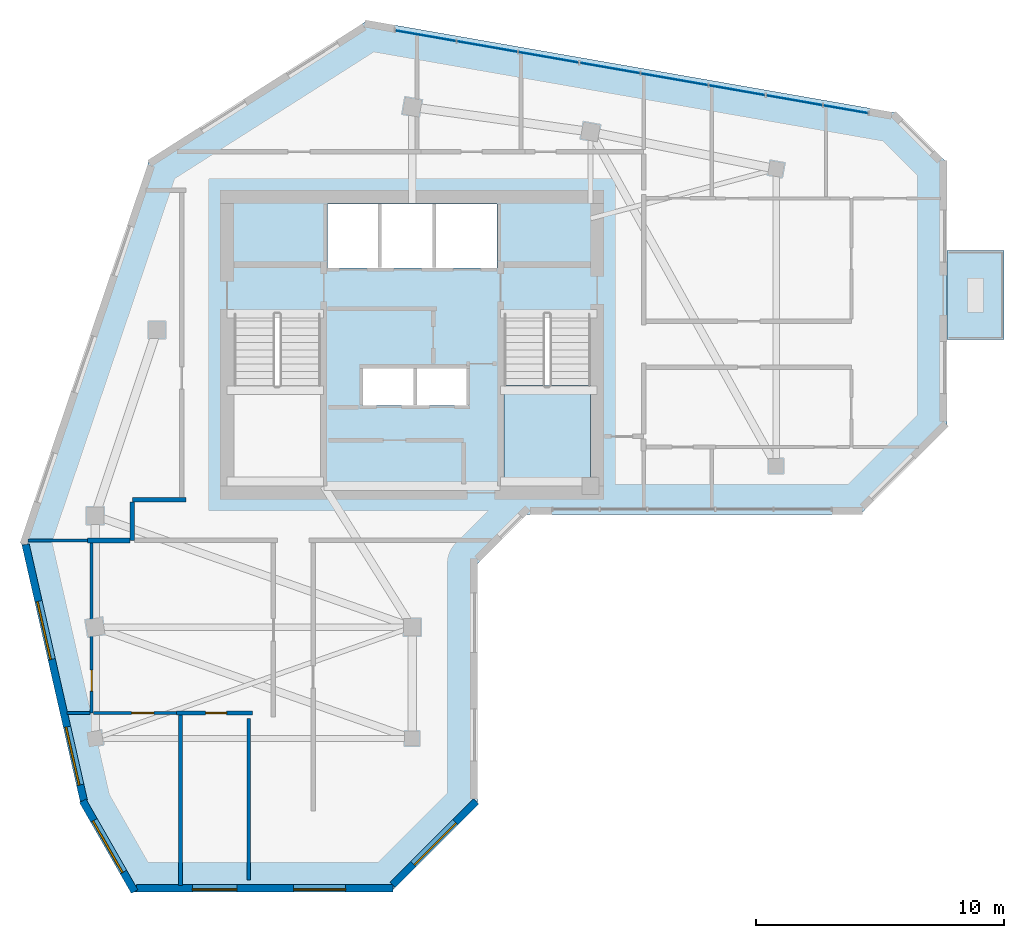
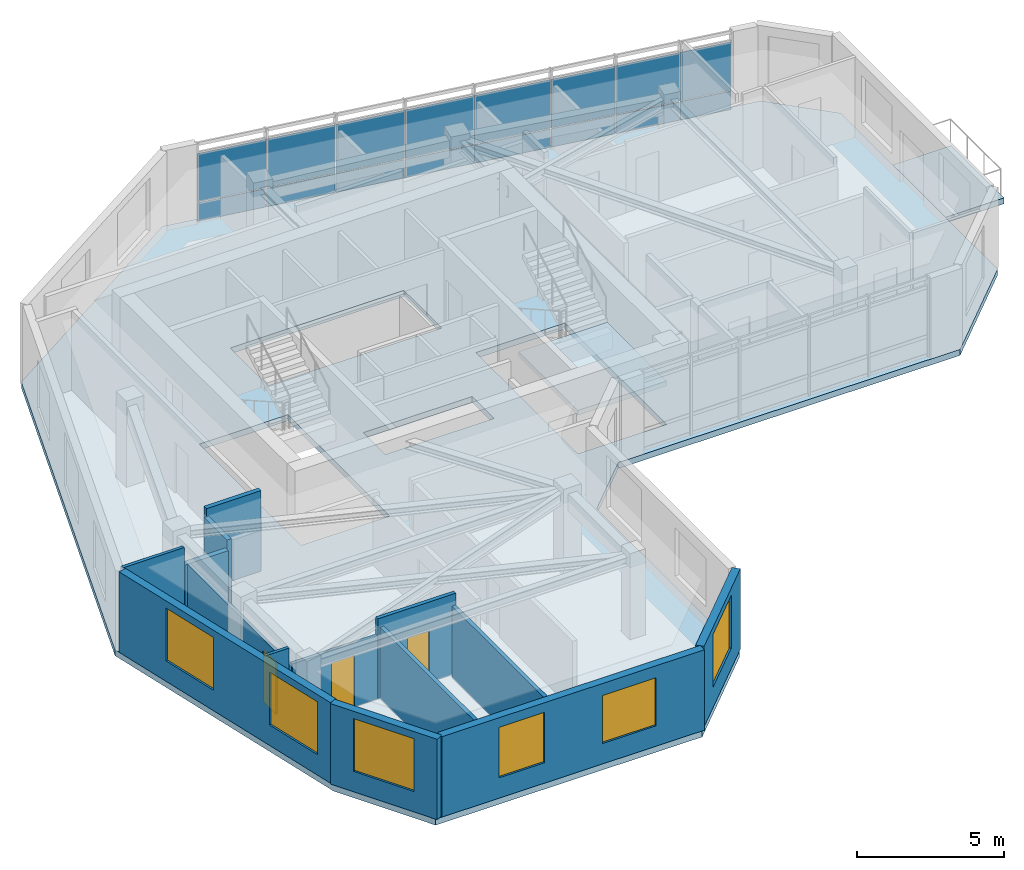
# One storey, part 3 of 9: 16 plates, 14 walls, 6 windows, 3 doors, 3 slabs, 9 openings, 2 elements without a shape of their own.
"""IFC4 building model written with IfcOpenShell, lengths in metres."""

from ifc_helpers import new_model, si_unit, direction, frame, frame_2d, origin, place, context, subcontext, project, spatial, polyline, rectangle, outline, extrude, source, transform, mapped, material, layer, layer_set, type_object, element, fill, aggregate, save


model = new_model("IFC4")

# Units and contexts
model_context = context("Model", 3, precision=1e-05, world=origin(), true_north=direction((0.0, 1.0)))
body_context = subcontext(model_context, "Body", "Model", "MODEL_VIEW")
ifc_project = project(units=[si_unit("LENGTHUNIT", "METRE"), si_unit("AREAUNIT", "SQUARE_METRE"), si_unit("VOLUMEUNIT", "CUBIC_METRE"), si_unit("PLANEANGLEUNIT", "RADIAN"), si_unit("MASSUNIT", "GRAM", prefix="KILO")], contexts=[model_context])

# Site, building, storey
site_placement = place(None, origin())
site = spatial("IfcSite", under=ifc_project, at=site_placement, CompositionType="ELEMENT")
building_placement = place(site_placement, origin())
building = spatial("IfcBuilding", under=site, at=building_placement, Name="Calvemar Wedge Station Tower", CompositionType="ELEMENT")
storey_placement = place(building_placement, frame((0.0, 0.0, 263.699951171875)))
storey = spatial("IfcBuildingStorey", under=building, at=storey_placement, Name="L67", CompositionType="ELEMENT", Elevation=263.699951171875)

# Curtain wall, plates
ifc_material_1 = material(Name="Anodised aluminium 6063-T6", Category="aluminium")
curtain_wall_type = type_object("IfcCurtainWallType", Name="CW4", PredefinedType="NOTDEFINED", material=ifc_material_1)
curtain_wall_placement = place(storey_placement, origin())
curtain_wall = element("IfcCurtainWall", 1, at=curtain_wall_placement, inside=storey, type_object=curtain_wall_type, Name="Storey L67 CW4 Recessed Unitised Curtain Wall 10", PredefinedType="NOTDEFINED")
ifc_material_2 = material(Name="Low-E laminated insulated glass", Category="glass")
ifc_layer_1 = layer(ifc_material_2, 0.028076171875)
ifc_layer_set_1 = layer_set([ifc_layer_1], Name="Low-E laminated insulated glass")
plate_type_1 = type_object("IfcPlateType", Name="CW4-GLZ", PredefinedType="CURTAIN_PANEL", material=ifc_layer_set_1)
plate_1_placement = place(storey_placement, frame((42.2158203125, 49.25, 0.8701171875), z_axis=(0.0, 0.0, 1.0), x_axis=(-0.985032723661, 0.172367436939, 0.0)))
plate_1 = element("IfcPlate", 2, at=plate_1_placement, type_object=plate_type_1, Name="CW4 vision glass panel 1", PredefinedType="CURTAIN_PANEL", context=body_context, shape_type="SweptSolid", body=[
    extrude(rectangle(XDim=1.837158203125, YDim=0.028076171875, at=frame_2d((0.91845703125, 0.0))), origin(), (0.0, 0.0, 1.0), 2.010009765625),
])
plate_2_placement = place(storey_placement, frame((40.370849609375, 49.57275390625, 0.8701171875), z_axis=(0.0, 0.0, 1.0), x_axis=(-0.985034958197, 0.172354666692, 0.0)))
plate_2 = element("IfcPlate", 3, at=plate_2_placement, type_object=plate_type_1, Name="CW4 vision glass panel 2", PredefinedType="CURTAIN_PANEL", context=body_context, shape_type="SweptSolid", body=[
    extrude(rectangle(XDim=2.307373046875, YDim=0.028076171875, at=frame_2d((1.15380859375, 0.0))), origin(), (0.0, 0.0, 1.0), 2.010009765625),
])
plate_3_placement = place(storey_placement, frame((38.0625, 49.976806640625, 0.8701171875), z_axis=(0.0, 0.0, 1.0), x_axis=(-0.985056054932, 0.17223405192, 0.0)))
plate_3 = element("IfcPlate", 4, at=plate_3_placement, type_object=plate_type_1, Name="CW4 vision glass panel 3", PredefinedType="CURTAIN_PANEL", context=body_context, shape_type="SweptSolid", body=[
    extrude(rectangle(XDim=2.3076171875, YDim=0.028076171875, at=frame_2d((1.15380859375, 0.0))), origin(), (0.0, 0.0, 1.0), 2.010009765625),
])
plate_4_placement = place(storey_placement, frame((35.75390625, 50.380615234375, 0.8701171875), z_axis=(0.0, 0.0, 1.0), x_axis=(-0.985042874859, 0.172309415559, 0.0)))
plate_4 = element("IfcPlate", 5, at=plate_4_placement, type_object=plate_type_1, Name="CW4 vision glass panel 4", PredefinedType="CURTAIN_PANEL", context=body_context, shape_type="SweptSolid", body=[
    extrude(rectangle(XDim=2.755859375, YDim=0.028076171875, at=frame_2d((1.3779296875, 0.0))), origin(), (0.0, 0.0, 1.0), 2.010009765625),
])
plate_5_placement = place(storey_placement, frame((33.00390625, 50.861572265625, 0.8701171875), z_axis=(0.0, 0.0, 1.0), x_axis=(-0.985043436117, 0.172306206978, 0.0)))
plate_5 = element("IfcPlate", 6, at=plate_5_placement, type_object=plate_type_1, Name="CW4 vision glass panel 5", PredefinedType="CURTAIN_PANEL", context=body_context, shape_type="SweptSolid", body=[
    extrude(rectangle(XDim=2.476806640625, YDim=0.028076171875, at=frame_2d((1.23828125, 0.0))), origin(), (0.0, 0.0, 1.0), 2.010009765625),
])
plate_6_placement = place(storey_placement, frame((30.52880859375, 51.294677734375, 0.8701171875), z_axis=(0.0, 0.0, 1.0), x_axis=(-0.985040509104, 0.172322939343, 0.0)))
plate_6 = element("IfcPlate", 7, at=plate_6_placement, type_object=plate_type_1, Name="CW4 vision glass panel 6", PredefinedType="CURTAIN_PANEL", context=body_context, shape_type="SweptSolid", body=[
    extrude(rectangle(XDim=2.4765625, YDim=0.028076171875, at=frame_2d((1.23828125, 0.0))), origin(), (0.0, 0.0, 1.0), 2.010009765625),
])
plate_7_placement = place(storey_placement, frame((28.053955078125, 51.7275390625, 0.8701171875), z_axis=(0.0, 0.0, 1.0), x_axis=(-0.985028799202, 0.172389862645, 0.0)))
plate_7 = element("IfcPlate", 8, at=plate_7_placement, type_object=plate_type_1, Name="CW4 vision glass panel 7", PredefinedType="CURTAIN_PANEL", context=body_context, shape_type="SweptSolid", body=[
    extrude(rectangle(XDim=2.4853515625, YDim=0.028076171875, at=frame_2d((1.24267578125, 0.0))), origin(), (0.0, 0.0, 1.0), 2.010009765625),
])
plate_8_placement = place(storey_placement, frame((25.5703125, 52.162109375, 0.8701171875), z_axis=(0.0, 0.0, 1.0), x_axis=(-0.985039641183, 0.172327900522, 0.0)))
plate_8 = element("IfcPlate", 9, at=plate_8_placement, type_object=plate_type_1, Name="CW4 vision glass panel 8", PredefinedType="CURTAIN_PANEL", context=body_context, shape_type="SweptSolid", body=[
    extrude(rectangle(XDim=2.48486328125, YDim=0.028076171875, at=frame_2d((1.242431640625, 0.0))), origin(), (0.0, 0.0, 1.0), 2.010009765625),
])
ifc_material_3 = material(Name="Oxidized bronze aluminium spandrel panel 5005-H24", Category="aluminium")
ifc_layer_2 = layer(ifc_material_3, 0.0400390625)
ifc_layer_set_2 = layer_set([ifc_layer_2], Name="Oxidized bronze aluminium spandrel panel 5005-H24")
plate_type_2 = type_object("IfcPlateType", Name="CW4-SPD", PredefinedType="SHEET", material=ifc_layer_set_2)
plate_9_placement = place(storey_placement, frame((42.2158203125, 49.25, 0.080078125), z_axis=(0.0, 0.0, 1.0), x_axis=(-0.985032723661, 0.172367436939, 0.0)))
plate_9 = element("IfcPlate", 10, at=plate_9_placement, type_object=plate_type_2, Name="CW4 bronze spandrel panel 1", PredefinedType="SHEET", context=body_context, shape_type="SweptSolid", body=[
    extrude(rectangle(XDim=1.837158203125, YDim=0.0400390625, at=frame_2d((0.91845703125, 0.0))), origin(), (0.0, 0.0, 1.0), 0.75),
])
plate_10_placement = place(storey_placement, frame((40.370849609375, 49.57275390625, 0.080078125), z_axis=(0.0, 0.0, 1.0), x_axis=(-0.985034958197, 0.172354666692, 0.0)))
plate_10 = element("IfcPlate", 11, at=plate_10_placement, type_object=plate_type_2, Name="CW4 bronze spandrel panel 2", PredefinedType="SHEET", context=body_context, shape_type="SweptSolid", body=[
    extrude(rectangle(XDim=2.307373046875, YDim=0.0400390625, at=frame_2d((1.15380859375, 0.0))), origin(), (0.0, 0.0, 1.0), 0.75),
])
plate_11_placement = place(storey_placement, frame((38.0625, 49.976806640625, 0.080078125), z_axis=(0.0, 0.0, 1.0), x_axis=(-0.985056054932, 0.17223405192, 0.0)))
plate_11 = element("IfcPlate", 12, at=plate_11_placement, type_object=plate_type_2, Name="CW4 bronze spandrel panel 3", PredefinedType="SHEET", context=body_context, shape_type="SweptSolid", body=[
    extrude(rectangle(XDim=2.3076171875, YDim=0.0400390625, at=frame_2d((1.15380859375, 0.0))), origin(), (0.0, 0.0, 1.0), 0.75),
])
plate_12_placement = place(storey_placement, frame((35.75390625, 50.380615234375, 0.080078125), z_axis=(0.0, 0.0, 1.0), x_axis=(-0.985042874859, 0.172309415559, 0.0)))
plate_12 = element("IfcPlate", 13, at=plate_12_placement, type_object=plate_type_2, Name="CW4 bronze spandrel panel 4", PredefinedType="SHEET", context=body_context, shape_type="SweptSolid", body=[
    extrude(rectangle(XDim=2.755859375, YDim=0.0400390625, at=frame_2d((1.3779296875, 0.0))), origin(), (0.0, 0.0, 1.0), 0.75),
])
plate_13_placement = place(storey_placement, frame((33.00390625, 50.861572265625, 0.080078125), z_axis=(0.0, 0.0, 1.0), x_axis=(-0.985043436117, 0.172306206978, 0.0)))
plate_13 = element("IfcPlate", 14, at=plate_13_placement, type_object=plate_type_2, Name="CW4 bronze spandrel panel 5", PredefinedType="SHEET", context=body_context, shape_type="SweptSolid", body=[
    extrude(rectangle(XDim=2.476806640625, YDim=0.0400390625, at=frame_2d((1.23828125, 0.0))), origin(), (0.0, 0.0, 1.0), 0.75),
])
plate_14_placement = place(storey_placement, frame((30.52880859375, 51.294677734375, 0.080078125), z_axis=(0.0, 0.0, 1.0), x_axis=(-0.985040509104, 0.172322939343, 0.0)))
plate_14 = element("IfcPlate", 15, at=plate_14_placement, type_object=plate_type_2, Name="CW4 bronze spandrel panel 6", PredefinedType="SHEET", context=body_context, shape_type="SweptSolid", body=[
    extrude(rectangle(XDim=2.4765625, YDim=0.0400390625, at=frame_2d((1.23828125, 0.0))), origin(), (0.0, 0.0, 1.0), 0.75),
])
plate_15_placement = place(storey_placement, frame((28.053955078125, 51.7275390625, 0.080078125), z_axis=(0.0, 0.0, 1.0), x_axis=(-0.985028799202, 0.172389862645, 0.0)))
plate_15 = element("IfcPlate", 16, at=plate_15_placement, type_object=plate_type_2, Name="CW4 bronze spandrel panel 7", PredefinedType="SHEET", context=body_context, shape_type="SweptSolid", body=[
    extrude(rectangle(XDim=2.4853515625, YDim=0.0400390625, at=frame_2d((1.24267578125, 0.0))), origin(), (0.0, 0.0, 1.0), 0.75),
])
plate_16_placement = place(storey_placement, frame((25.5703125, 52.162109375, 0.080078125), z_axis=(0.0, 0.0, 1.0), x_axis=(-0.985039641183, 0.172327900522, 0.0)))
plate_16 = element("IfcPlate", 17, at=plate_16_placement, type_object=plate_type_2, Name="CW4 bronze spandrel panel 8", PredefinedType="SHEET", context=body_context, shape_type="SweptSolid", body=[
    extrude(rectangle(XDim=2.48486328125, YDim=0.0400390625, at=frame_2d((1.242431640625, 0.0))), origin(), (0.0, 0.0, 1.0), 0.75),
])
aggregate(curtain_wall, [plate_9, plate_1, plate_10, plate_2, plate_11, plate_3, plate_12, plate_4, plate_13, plate_5, plate_14, plate_6, plate_15, plate_7, plate_16, plate_8])

# Stair, slab
ifc_material_4 = material(Name="Concrete C45", Category="concrete")
stair_type = type_object("IfcStairType", Name="ST-TYPE-3600", PredefinedType="HALF_TURN_STAIR", material=ifc_material_4)
stair_placement = place(storey_placement, origin())
stair = element("IfcStair", 18, at=stair_placement, inside=storey, type_object=stair_type, Name="L67 Pressurized Core Exit Stair ST-C2", PredefinedType="HALF_TURN_STAIR")
ifc_layer_3 = layer(ifc_material_4, 0.199951171875)
ifc_layer_set_3 = layer_set([ifc_layer_3], Name="Concrete C45")
slab_type_1 = type_object("IfcSlabType", Name="SL-STAIR-LND-200", PredefinedType="LANDING", material=ifc_layer_set_3)
slab_1_placement = place(storey_placement, frame((0.0, 0.0, 1.60009765625)))
slab_1 = element("IfcSlab", 19, at=slab_1_placement, type_object=slab_type_1, Name="ST-C2 landing 1", PredefinedType="LANDING", context=body_context, shape_type="SweptSolid", body=[
    extrude(outline(polyline([(27.5, 38.25), (27.5, 34.199951171875), (31.0, 34.199951171875), (31.0, 38.25), (27.5, 38.25)])), origin(), (0.0, 0.0, 1.0), 0.199951171875),
])
aggregate(stair, [slab_1])

# Slabs
ifc_layer_4 = layer(ifc_material_4, 0.239990234375)
ifc_layer_set_4 = layer_set([ifc_layer_4], Name="Concrete C45")
slab_type_2 = type_object("IfcSlabType", Name="SL-TERR-240", PredefinedType="FLOOR", material=ifc_layer_set_4)
slab_2_placement = place(storey_placement, frame((0.0, 0.0, -0.239990234375)))
element("IfcSlab", 20, at=slab_2_placement, inside=storey, type_object=slab_type_2, Name="Storey L67 Planted Spiral Terrace Slab", PredefinedType="FLOOR", context=body_context, shape_type="SweptSolid", body=[
    extrude(outline(polyline([(45.39990234375, 40.10595703125), (47.699951171875, 40.10595703125), (47.699951171875, 43.7060546875), (45.39990234375, 43.7060546875), (45.39990234375, 40.10595703125)])), origin(), (0.0, 0.0, 1.0), 0.239990234375),
])
ifc_material_5 = material(Name="Concrete C50", Category="concrete")
ifc_layer_5 = layer(ifc_material_5, 0.25)
ifc_layer_set_5 = layer_set([ifc_layer_5], Name="Concrete C50")
slab_type_3 = type_object("IfcSlabType", Name="SL-TYP-250", PredefinedType="FLOOR", material=ifc_layer_set_5)
slab_3_placement = place(storey_placement, frame((0.0, 0.0, -0.25)))
element("IfcSlab", 21, at=slab_3_placement, inside=storey, type_object=slab_type_3, Name="Storey L67 Structural Floor Slab", PredefinedType="FLOOR", context=body_context, shape_type="SweptSolid", body=[
    extrude(outline(polyline([(8.0, 32.0), (10.431884765625, 21.300048828125), (12.431884765625, 17.800048828125), (22.931884765625, 17.800048828125), (26.431884765625, 21.300048828125), (26.431884765625, 31.055908203125), (28.431884765625, 33.055908203125), (41.89990234375, 33.055908203125), (45.39990234375, 36.555908203125), (45.39990234375, 47.256103515625), (43.39990234375, 49.256103515625), (22.0, 53.0), (13.199951171875, 47.39990234375), (8.0, 32.0)]), holes=[polyline([(20.10009765625, 34.199951171875), (20.10009765625, 41.14990234375), (16.60009765625, 41.14990234375), (16.60009765625, 34.199951171875), (20.10009765625, 34.199951171875)]), polyline([(31.0, 34.199951171875), (31.0, 41.14990234375), (27.5, 41.14990234375), (27.5, 34.199951171875), (31.0, 34.199951171875)]), polyline([(23.929931640625, 38.949951171875), (21.7900390625, 38.949951171875), (21.7900390625, 37.449951171875), (23.929931640625, 37.449951171875), (23.93994140625, 37.449951171875), (26.080078125, 37.449951171875), (26.080078125, 38.949951171875), (23.93994140625, 38.949951171875), (23.929931640625, 38.949951171875)]), polyline([(27.219970703125, 43.0), (27.219970703125, 45.580078125), (20.3798828125, 45.580078125), (20.3798828125, 43.0), (27.219970703125, 43.0)])]), origin(), (0.0, 0.0, 1.0), 0.25),
])

# Walls
ifc_material_6 = material(Name="Double-stud fire-rated corridor partition")
ifc_layer_6 = layer(ifc_material_6, 0.179931640625)
ifc_layer_set_6 = layer_set([ifc_layer_6], Name="Double-stud fire-rated corridor partition")
wall_type_1 = type_object("IfcWallType", Name="W-CORR-180", PredefinedType="PARTITIONING", material=ifc_layer_set_6)
wall_1_placement = place(storey_placement, frame((12.5, 33.64990234375, 0.0), z_axis=(0.0, 0.0, 1.0), x_axis=(1.0, 0.0, 0.0)))
element("IfcWall", 22, at=wall_1_placement, inside=storey, type_object=wall_type_1, Name="Storey L67 Interior Partition WL-L67-007", PredefinedType="PARTITIONING", context=body_context, shape_type="SweptSolid", body=[
    extrude(rectangle(XDim=2.159912109375, YDim=0.179931640625, at=frame_2d((1.080078125, 0.0))), origin(), (0.0, 0.0, 1.0), 3.35009765625),
])
wall_2_placement = place(storey_placement, frame((12.5, 32.0, 0.0), z_axis=(0.0, 0.0, 1.0), x_axis=(0.0, 1.0, 0.0)))
element("IfcWall", 23, at=wall_2_placement, inside=storey, type_object=wall_type_1, Name="Storey L67 Interior Partition WL-L67-008", PredefinedType="PARTITIONING", context=body_context, shape_type="SweptSolid", body=[
    extrude(rectangle(XDim=1.555908203125, YDim=0.179931640625, at=frame_2d((0.77783203125, 0.0))), origin(), (0.0, 0.0, 1.0), 3.01904296875),
])
ifc_material_7 = material(Name="Twin-stud fire-rated inter-tenancy wall")
ifc_layer_7 = layer(ifc_material_7, 0.199951171875)
ifc_layer_set_7 = layer_set([ifc_layer_7], Name="Twin-stud fire-rated inter-tenancy wall")
wall_type_2 = type_object("IfcWallType", Name="W-DEMISE-200", PredefinedType="PARTITIONING", material=ifc_layer_set_7)
wall_3_placement = place(storey_placement, frame((12.406005859375, 32.0, 0.0), z_axis=(0.0, 0.0, 1.0), x_axis=(-1.0, 0.0, 0.0)))
element("IfcWall", 24, at=wall_3_placement, inside=storey, type_object=wall_type_2, Name="Storey L67 Interior Partition WL-L67-021", PredefinedType="PARTITIONING", context=body_context, shape_type="SweptSolid", body=[
    extrude(rectangle(XDim=1.7080078125, YDim=0.199951171875, at=frame_2d((0.85400390625, 0.0))), origin(), (0.0, 0.0, 1.0), 2.64208984375),
])

# Wall, opening, window
ifc_material_8 = material(Name="Precast concrete C45", Category="concrete")
ifc_layer_8 = layer(ifc_material_8, 0.300048828125)
ifc_layer_set_8 = layer_set([ifc_layer_8], Name="Precast concrete C45")
wall_type_3 = type_object("IfcWallType", Name="W-EXT-GFRC-300", PredefinedType="SOLIDWALL", material=ifc_layer_set_8)
wall_4_placement = place(storey_placement, frame((10.498779296875, 21.4853515625, 0.0), z_axis=(0.0, 0.0, 1.0), x_axis=(0.496163848656, -0.868228907194, 0.0)))
wall_4 = element("IfcWall", 25, at=wall_4_placement, inside=storey, type_object=wall_type_3, Name="Storey L67 Bronze GFRC Exterior Wall 1", PredefinedType="SOLIDWALL", context=body_context, shape_type="SweptSolid", body=[
    extrude(rectangle(XDim=4.221923828125, YDim=0.300048828125, at=frame_2d((2.11083984375, 0.0))), origin(), (0.0, 0.0, 1.0), 3.35009765625),
])
shared_shape_1 = source(origin(), body_context, "Body", "SweptSolid", [
    extrude(rectangle(XDim=2.39990234375, YDim=2.199951171875, at=frame_2d((1.199951171875, 1.10009765625))), frame((0.0, 0.16015625, 0.0), z_axis=(0.0, -1.0, 0.0), x_axis=(1.0, 0.0, 0.0)), (0.0, 0.0, 1.0), 0.320068359375),
])
opening_1_placement = place(wall_4_placement, frame((0.910888671875, 0.0, 0.85009765625)))
opening_1 = element("IfcOpeningElement", 26, at=opening_1_placement, cuts=wall_4, Name="Opening W1", PredefinedType="OPENING", context=body_context, shape_type="MappedRepresentation", body=[
    mapped(shared_shape_1, transform((0.0, 0.0, 0.0), scale=1.0)),
])
window_type_1 = type_object("IfcWindowType", Name="WIN-EXT-1", PartitioningType="SINGLE_PANEL", PredefinedType="WINDOW", material=ifc_material_2)
shared_shape_2 = source(origin(), body_context, "Body", "SweptSolid", [
    extrude(rectangle(XDim=2.39990234375, YDim=2.199951171875, at=frame_2d((1.199951171875, 1.10009765625))), frame((0.0, -0.014892578125, 0.0), z_axis=(0.0, -1.0, 0.0), x_axis=(1.0, 0.0, 0.0)), (0.0, 0.0, 1.0), 0.06005859375),
])
window_1_placement = place(opening_1_placement, origin())
window_1 = element("IfcWindow", 27, at=window_1_placement, inside=storey, type_object=window_type_1, Name="Storey L67 Recessed Window 1.1", OverallHeight=2.199951171875, OverallWidth=2.39990234375, PartitioningType="SINGLE_PANEL", PredefinedType="WINDOW", context=body_context, shape_type="MappedRepresentation", body=[
    mapped(shared_shape_2, transform((0.0, 0.0, 0.0), scale=1.0)),
])
fill(opening_1, window_1)

# Wall, openings, windows
wall_5_placement = place(storey_placement, frame((12.677978515625, 17.949951171875, 0.0), z_axis=(0.0, 0.0, 1.0), x_axis=(1.0, 0.0, 0.0)))
wall_5 = element("IfcWall", 28, at=wall_5_placement, inside=storey, type_object=wall_type_3, Name="Storey L67 Bronze GFRC Exterior Wall 2", PredefinedType="SOLIDWALL", context=body_context, shape_type="SweptSolid", body=[
    extrude(rectangle(XDim=10.342041015625, YDim=0.300048828125, at=frame_2d((5.1708984375, 0.0))), origin(), (0.0, 0.0, 1.0), 3.35009765625),
])
shared_shape_3 = source(origin(), body_context, "Body", "SweptSolid", [
    extrude(rectangle(XDim=1.800048828125, YDim=2.10009765625, at=frame_2d((0.89990234375, 1.050048828125))), frame((0.0, 0.16015625, 0.0), z_axis=(0.0, -1.0, 0.0), x_axis=(1.0, 0.0, 0.0)), (0.0, 0.0, 1.0), 0.320068359375),
])
opening_2_placement = place(wall_5_placement, frame((2.2470703125, 0.0, 0.85009765625)))
opening_2 = element("IfcOpeningElement", 29, at=opening_2_placement, cuts=wall_5, Name="Opening W2", PredefinedType="OPENING", context=body_context, shape_type="MappedRepresentation", body=[
    mapped(shared_shape_3, transform((0.0, 0.0, 0.0), scale=1.0)),
])
shared_shape_4 = source(origin(), body_context, "Body", "SweptSolid", [
    extrude(rectangle(XDim=2.10009765625, YDim=2.0, at=frame_2d((1.050048828125, 1.0))), frame((0.0, 0.16015625, 0.0), z_axis=(0.0, -1.0, 0.0), x_axis=(1.0, 0.0, 0.0)), (0.0, 0.0, 1.0), 0.320068359375),
])
opening_3_placement = place(wall_5_placement, frame((6.33203125, 0.0, 0.85009765625)))
opening_3 = element("IfcOpeningElement", 30, at=opening_3_placement, cuts=wall_5, Name="Opening W4", PredefinedType="OPENING", context=body_context, shape_type="MappedRepresentation", body=[
    mapped(shared_shape_4, transform((0.0, 0.0, 0.0), scale=1.0)),
])
window_type_2 = type_object("IfcWindowType", Name="WIN-EXT-4", PartitioningType="SINGLE_PANEL", PredefinedType="WINDOW", material=ifc_material_2)
shared_shape_5 = source(origin(), body_context, "Body", "SweptSolid", [
    extrude(rectangle(XDim=2.10009765625, YDim=2.0, at=frame_2d((1.050048828125, 1.0))), frame((0.0, -0.014892578125, 0.0), z_axis=(0.0, -1.0, 0.0), x_axis=(1.0, 0.0, 0.0)), (0.0, 0.0, 1.0), 0.06005859375),
])
window_2_placement = place(opening_3_placement, origin())
window_2 = element("IfcWindow", 31, at=window_2_placement, inside=storey, type_object=window_type_2, Name="Storey L67 Recessed Window 2.2", OverallHeight=2.0, OverallWidth=2.10009765625, PartitioningType="SINGLE_PANEL", PredefinedType="WINDOW", context=body_context, shape_type="MappedRepresentation", body=[
    mapped(shared_shape_5, transform((0.0, 0.0, 0.0), scale=1.0)),
])
fill(opening_3, window_2)
window_type_3 = type_object("IfcWindowType", Name="WIN-EXT-2", PartitioningType="SINGLE_PANEL", PredefinedType="WINDOW", material=ifc_material_2)
shared_shape_6 = source(origin(), body_context, "Body", "SweptSolid", [
    extrude(rectangle(XDim=1.800048828125, YDim=2.10009765625, at=frame_2d((0.89990234375, 1.050048828125))), frame((0.0, -0.014892578125, 0.0), z_axis=(0.0, -1.0, 0.0), x_axis=(1.0, 0.0, 0.0)), (0.0, 0.0, 1.0), 0.06005859375),
])
window_3_placement = place(opening_2_placement, origin())
window_3 = element("IfcWindow", 32, at=window_3_placement, inside=storey, type_object=window_type_3, Name="Storey L67 Recessed Window 2.1", OverallHeight=2.10009765625, OverallWidth=1.800048828125, PartitioningType="SINGLE_PANEL", PredefinedType="WINDOW", context=body_context, shape_type="MappedRepresentation", body=[
    mapped(shared_shape_6, transform((0.0, 0.0, 0.0), scale=1.0)),
])
fill(opening_2, window_3)

# Wall, opening, window
wall_6_placement = place(storey_placement, frame((23.0078125, 18.087890625, 0.0), z_axis=(0.0, 0.0, 1.0), x_axis=(0.707106781187, 0.707106781187, 0.0)))
wall_6 = element("IfcWall", 33, at=wall_6_placement, inside=storey, type_object=wall_type_3, Name="Storey L67 Bronze GFRC Exterior Wall 3", PredefinedType="SOLIDWALL", context=body_context, shape_type="SweptSolid", body=[
    extrude(rectangle(XDim=4.780517578125, YDim=0.300048828125, at=frame_2d((2.39013671875, 0.0))), origin(), (0.0, 0.0, 1.0), 3.35009765625),
])
opening_4_placement = place(wall_6_placement, frame((1.18994140625, 0.0, 0.85009765625)))
opening_4 = element("IfcOpeningElement", 34, at=opening_4_placement, cuts=wall_6, Name="Opening W1", PredefinedType="OPENING", context=body_context, shape_type="MappedRepresentation", body=[
    mapped(shared_shape_1, transform((0.0, 0.0, 0.0), scale=1.0)),
])
window_4_placement = place(opening_4_placement, origin())
window_4 = element("IfcWindow", 35, at=window_4_placement, inside=storey, type_object=window_type_1, Name="Storey L67 Recessed Window 3.1", OverallHeight=2.199951171875, OverallWidth=2.39990234375, PartitioningType="SINGLE_PANEL", PredefinedType="WINDOW", context=body_context, shape_type="MappedRepresentation", body=[
    mapped(shared_shape_2, transform((0.0, 0.0, 0.0), scale=1.0)),
])
fill(opening_4, window_4)

# Wall, openings, windows
wall_7_placement = place(storey_placement, frame((8.19140625, 31.834228515625, 0.0), z_axis=(0.0, 0.0, 1.0), x_axis=(0.221636032737, -0.975129462683, 0.0)))
wall_7 = element("IfcWall", 36, at=wall_7_placement, inside=storey, type_object=wall_type_3, Name="Storey L67 Bronze GFRC Exterior Wall 13", PredefinedType="SOLIDWALL", context=body_context, shape_type="SweptSolid", body=[
    extrude(rectangle(XDim=10.602294921875, YDim=0.300048828125, at=frame_2d((5.30126953125, 0.0))), origin(), (0.0, 0.0, 1.0), 3.35009765625),
])
opening_5_placement = place(wall_7_placement, frame((2.35107421875, 0.0, 0.85009765625)))
opening_5 = element("IfcOpeningElement", 37, at=opening_5_placement, cuts=wall_7, Name="Opening W1", PredefinedType="OPENING", context=body_context, shape_type="MappedRepresentation", body=[
    mapped(shared_shape_1, transform((0.0, 0.0, 0.0), scale=1.0)),
])
opening_6_placement = place(wall_7_placement, frame((7.552001953125, 0.0, 0.85009765625)))
opening_6 = element("IfcOpeningElement", 38, at=opening_6_placement, cuts=wall_7, Name="Opening W1", PredefinedType="OPENING", context=body_context, shape_type="MappedRepresentation", body=[
    mapped(shared_shape_1, transform((0.0, 0.0, 0.0), scale=1.0)),
])
window_5_placement = place(opening_5_placement, origin())
window_5 = element("IfcWindow", 39, at=window_5_placement, inside=storey, type_object=window_type_1, Name="Storey L67 Recessed Window 13.1", OverallHeight=2.199951171875, OverallWidth=2.39990234375, PartitioningType="SINGLE_PANEL", PredefinedType="WINDOW", context=body_context, shape_type="MappedRepresentation", body=[
    mapped(shared_shape_2, transform((0.0, 0.0, 0.0), scale=1.0)),
])
fill(opening_5, window_5)
window_6_placement = place(opening_6_placement, origin())
window_6 = element("IfcWindow", 40, at=window_6_placement, inside=storey, type_object=window_type_1, Name="Storey L67 Recessed Window 13.2", OverallHeight=2.199951171875, OverallWidth=2.39990234375, PartitioningType="SINGLE_PANEL", PredefinedType="WINDOW", context=body_context, shape_type="MappedRepresentation", body=[
    mapped(shared_shape_2, transform((0.0, 0.0, 0.0), scale=1.0)),
])
fill(opening_6, window_6)

# Wall
ifc_material_9 = material(Name="Insulated acoustic gypsum stud partition")
ifc_layer_9 = layer(ifc_material_9, 0.125)
ifc_layer_set_9 = layer_set([ifc_layer_9], Name="Insulated acoustic gypsum stud partition")
wall_type_4 = type_object("IfcWallType", Name="W-PART-125", PredefinedType="PARTITIONING", material=ifc_layer_set_9)
wall_8_placement = place(storey_placement, frame((10.696044921875, 32.0, 0.0), z_axis=(0.0, 0.0, 1.0), x_axis=(-1.0, 0.0, 0.0)))
element("IfcWall", 41, at=wall_8_placement, inside=storey, type_object=wall_type_4, Name="Storey L67 Interior Partition WL-L67-022", PredefinedType="PARTITIONING", context=body_context, shape_type="SweptSolid", body=[
    extrude(rectangle(XDim=2.416259765625, YDim=0.125, at=frame_2d((1.2080078125, 0.0))), origin(), (0.0, 0.0, 1.0), 3.35009765625),
])

# Wall, opening, door
wall_9_placement = place(storey_placement, frame((10.85791015625, 25.031982421875, 0.0), z_axis=(0.0, 0.0, 1.0), x_axis=(0.0, 1.0, 0.0)))
wall_9 = element("IfcWall", 42, at=wall_9_placement, inside=storey, type_object=wall_type_4, Name="Storey L67 Interior Partition WL-L67-044", PredefinedType="PARTITIONING", context=body_context, shape_type="SweptSolid", body=[
    extrude(rectangle(XDim=6.864013671875, YDim=0.125, at=frame_2d((3.43212890625, 0.0))), origin(), (0.0, 0.0, 1.0), 2.64208984375),
])
shared_shape_7 = source(origin(), body_context, "Body", "SweptSolid", [
    extrude(rectangle(XDim=0.85009765625, YDim=2.14990234375, at=frame_2d((0.425048828125, 1.074951171875))), frame((0.0, 0.072509765625, 0.0), z_axis=(0.0, -1.0, 0.0), x_axis=(1.0, 0.0, 0.0)), (0.0, 0.0, 1.0), 0.14501953125),
])
opening_7_placement = place(wall_9_placement, frame((0.885986328125, 0.0, 0.0)))
opening_7 = element("IfcOpeningElement", 43, at=opening_7_placement, cuts=wall_9, Name="Opening D-02", PredefinedType="OPENING", context=body_context, shape_type="MappedRepresentation", body=[
    mapped(shared_shape_7, transform((0.0, 0.0, 0.0), scale=1.0)),
])
ifc_material_10 = material(Name="Moisture-sealed bathroom hardwood swing door", Category="wood")
door_type_1 = type_object("IfcDoorType", Name="DR-WET-850", OperationType="NOTDEFINED", PredefinedType="DOOR", material=ifc_material_10)
shared_shape_8 = source(origin(), body_context, "Body", "SweptSolid", [
    extrude(rectangle(XDim=0.85009765625, YDim=2.14990234375, at=frame_2d((0.425048828125, 1.074951171875))), frame((0.0, 0.02490234375, 0.0), z_axis=(0.0, -1.0, 0.0), x_axis=(1.0, 0.0, 0.0)), (0.0, 0.0, 1.0), 0.050048828125),
])
door_1_placement = place(opening_7_placement, origin())
door_1 = element("IfcDoor", 44, at=door_1_placement, inside=storey, type_object=door_type_1, Name="L67 Kitchen Door", OperationType="SINGLE_SWING_LEFT", OverallHeight=2.14990234375, OverallWidth=0.85009765625, PredefinedType="DOOR", context=body_context, shape_type="MappedRepresentation", body=[
    mapped(shared_shape_8, transform((0.0, 0.0, 0.0), scale=1.0)),
])
fill(opening_7, door_1)

wall_10_placement = place(storey_placement, frame((14.2880859375, 25.031982421875, 0.0), z_axis=(0.0, 0.0, 1.0), x_axis=(-1.0, 0.0, 0.0)))
wall_10 = element("IfcWall", 45, at=wall_10_placement, inside=storey, type_object=wall_type_4, Name="Storey L67 Interior Partition WL-L67-046", PredefinedType="PARTITIONING", context=body_context, shape_type="SweptSolid", body=[
    extrude(rectangle(XDim=3.363525390625, YDim=0.125, at=frame_2d((1.681640625, 0.0))), origin(), (0.0, 0.0, 1.0), 2.64208984375),
])
shared_shape_9 = source(origin(), body_context, "Body", "SweptSolid", [
    extrude(rectangle(XDim=0.89990234375, YDim=2.14990234375, at=frame_2d((0.449951171875, 1.074951171875))), frame((0.0, 0.072509765625, 0.0), z_axis=(0.0, -1.0, 0.0), x_axis=(1.0, 0.0, 0.0)), (0.0, 0.0, 1.0), 0.14501953125),
])
opening_8_placement = place(wall_10_placement, frame((0.91455078125, 0.0, 0.0)))
opening_8 = element("IfcOpeningElement", 46, at=opening_8_placement, cuts=wall_10, Name="Opening D-01", PredefinedType="OPENING", context=body_context, shape_type="MappedRepresentation", body=[
    mapped(shared_shape_9, transform((0.0, 0.0, 0.0), scale=1.0)),
])
ifc_material_11 = material(Name="Architectural hardwood acoustic swing door", Category="wood")
door_type_2 = type_object("IfcDoorType", Name="DR-INT-900", OperationType="NOTDEFINED", PredefinedType="DOOR", material=ifc_material_11)
shared_shape_10 = source(origin(), body_context, "Body", "SweptSolid", [
    extrude(rectangle(XDim=0.89990234375, YDim=2.14990234375, at=frame_2d((0.449951171875, 1.074951171875))), frame((0.0, 0.02490234375, 0.0), z_axis=(0.0, -1.0, 0.0), x_axis=(1.0, 0.0, 0.0)), (0.0, 0.0, 1.0), 0.050048828125),
])
door_2_placement = place(opening_8_placement, origin())
door_2 = element("IfcDoor", 47, at=door_2_placement, inside=storey, type_object=door_type_2, Name="L67 Bedroom Door", OperationType="SINGLE_SWING_LEFT", OverallHeight=2.14990234375, OverallWidth=0.89990234375, PredefinedType="DOOR", context=body_context, shape_type="MappedRepresentation", body=[
    mapped(shared_shape_10, transform((0.0, 0.0, 0.0), scale=1.0)),
])
fill(opening_8, door_2)

# Wall
wall_11_placement = place(storey_placement, frame((10.79150390625, 25.031982421875, 0.0), z_axis=(0.0, 0.0, 1.0), x_axis=(-1.0, 0.0, 0.0)))
element("IfcWall", 48, at=wall_11_placement, inside=storey, type_object=wall_type_4, Name="Storey L67 Interior Partition WL-L67-047", PredefinedType="PARTITIONING", context=body_context, shape_type="SweptSolid", body=[
    extrude(rectangle(XDim=0.93603515625, YDim=0.125, at=frame_2d((0.468017578125, 0.0))), origin(), (0.0, 0.0, 1.0), 3.35009765625),
])

# Wall, opening, door
ifc_material_12 = material(Name="Moisture-resistant acoustic bathroom partition")
ifc_layer_10 = layer(ifc_material_12, 0.14990234375)
ifc_layer_set_10 = layer_set([ifc_layer_10], Name="Moisture-resistant acoustic bathroom partition")
wall_type_5 = type_object("IfcWallType", Name="W-WET-150", PredefinedType="PARTITIONING", material=ifc_layer_set_10)
wall_12_placement = place(storey_placement, frame((17.360107421875, 25.031982421875, 0.0), z_axis=(0.0, 0.0, 1.0), x_axis=(-1.0, 0.0, 0.0)))
wall_12 = element("IfcWall", 49, at=wall_12_placement, inside=storey, type_object=wall_type_5, Name="Storey L67 Interior Partition WL-L67-045", PredefinedType="PARTITIONING", context=body_context, shape_type="SweptSolid", body=[
    extrude(rectangle(XDim=3.070068359375, YDim=0.14990234375, at=frame_2d((1.53515625, 0.0))), origin(), (0.0, 0.0, 1.0), 3.35009765625),
])
shared_shape_11 = source(origin(), body_context, "Body", "SweptSolid", [
    extrude(rectangle(XDim=0.85009765625, YDim=2.14990234375, at=frame_2d((0.425048828125, 1.074951171875))), frame((0.0, 0.0849609375, 0.0), z_axis=(0.0, -1.0, 0.0), x_axis=(1.0, 0.0, 0.0)), (0.0, 0.0, 1.0), 0.169921875),
])
opening_9_placement = place(wall_12_placement, frame((1.046142578125, 0.0, 0.0)))
opening_9 = element("IfcOpeningElement", 50, at=opening_9_placement, cuts=wall_12, Name="Opening D-02", PredefinedType="OPENING", context=body_context, shape_type="MappedRepresentation", body=[
    mapped(shared_shape_11, transform((0.0, 0.0, 0.0), scale=1.0)),
])
door_3_placement = place(opening_9_placement, origin())
door_3 = element("IfcDoor", 51, at=door_3_placement, inside=storey, type_object=door_type_1, Name="L67 Bathroom Door", OperationType="SINGLE_SWING_RIGHT", OverallHeight=2.14990234375, OverallWidth=0.85009765625, PredefinedType="DOOR", context=body_context, shape_type="MappedRepresentation", body=[
    mapped(shared_shape_8, transform((0.0, 0.0, 0.0), scale=1.0)),
])
fill(opening_9, door_3)

# Walls
wall_13_placement = place(storey_placement, frame((14.449951171875, 18.06494140625, 0.0), z_axis=(0.0, 0.0, 1.0), x_axis=(0.0, 1.0, 0.0)))
element("IfcWall", 52, at=wall_13_placement, inside=storey, type_object=wall_type_5, Name="Storey L67 Interior Partition WL-L67-048", PredefinedType="PARTITIONING", context=body_context, shape_type="SweptSolid", body=[
    extrude(rectangle(XDim=6.887939453125, YDim=0.14990234375, at=frame_2d((3.44384765625, 0.0))), origin(), (0.0, 0.0, 1.0), 2.97900390625),
])
wall_14_placement = place(storey_placement, frame((17.199951171875, 24.81201171875, 0.0), z_axis=(0.0, 0.0, 1.0), x_axis=(0.0, -1.0, 0.0)))
element("IfcWall", 53, at=wall_14_placement, inside=storey, type_object=wall_type_5, Name="Storey L67 Bathroom Enclosure Wall WL-L67-049", PredefinedType="PARTITIONING", context=body_context, shape_type="SweptSolid", body=[
    extrude(rectangle(XDim=6.527099609375, YDim=0.14990234375, at=frame_2d((3.263671875, 0.0))), origin(), (0.0, 0.0, 1.0), 2.97900390625),
])

save(model, "model.ifc")
